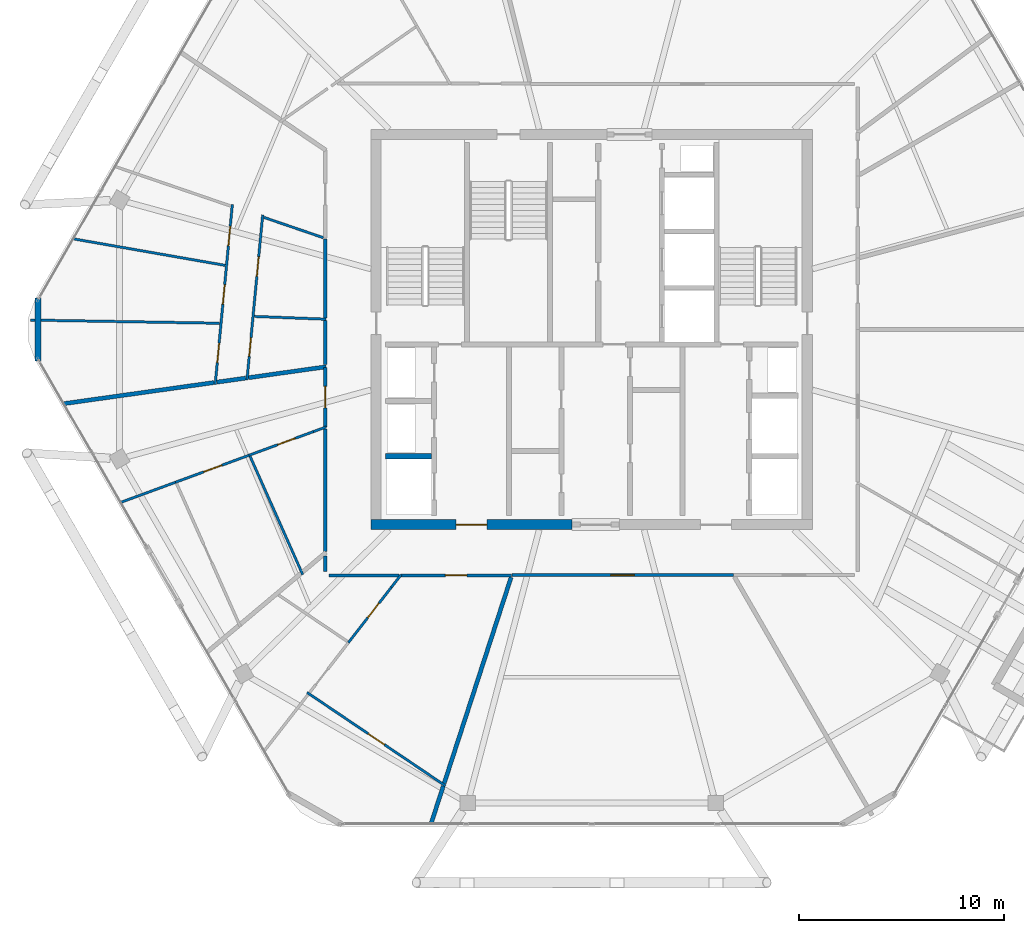
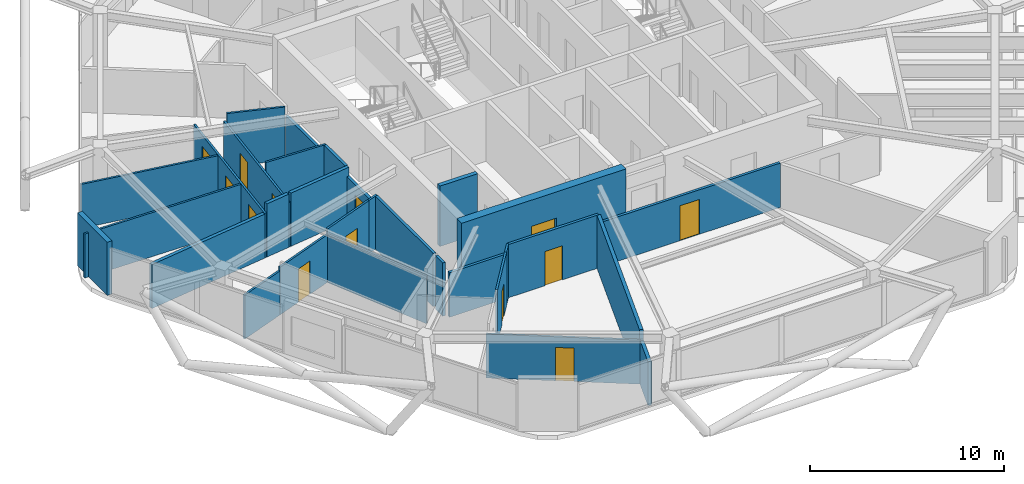
# One storey, part 17 of 23: 30 walls, 13 doors, 13 openings.
"""IFC4 building model written with IfcOpenShell, lengths in metres."""

from ifc_helpers import new_model, si_unit, direction, frame, frame_2d, origin, place, context, subcontext, project, spatial, rectangle, extrude, material, layer, layer_set, type_object, element, fill, save


model = new_model("IFC4")

# Units and contexts
model_context = context("Model", 3, precision=1e-05, world=origin(), true_north=direction((0.0, 1.0)))
body_context = subcontext(model_context, "Body", "Model", "MODEL_VIEW")
ifc_project = project(units=[si_unit("LENGTHUNIT", "METRE"), si_unit("AREAUNIT", "SQUARE_METRE"), si_unit("VOLUMEUNIT", "CUBIC_METRE"), si_unit("PLANEANGLEUNIT", "RADIAN"), si_unit("MASSUNIT", "GRAM", prefix="KILO")], contexts=[model_context])

# Site, building, storey
site_placement = place(None, origin())
site = spatial("IfcSite", under=ifc_project, at=site_placement, CompositionType="ELEMENT")
building_placement = place(site_placement, origin())
building = spatial("IfcBuilding", under=site, at=building_placement, Name="Zuhravey Tower", CompositionType="ELEMENT")
storey_placement = place(building_placement, frame((0.0, 0.0, 353.800048828125)))
storey = spatial("IfcBuildingStorey", under=building, at=storey_placement, Name="L90", CompositionType="ELEMENT", Elevation=353.800048828125)

# Wall, opening, door
ifc_material_1 = material(Name="Concrete C50/60", Category="concrete")
ifc_layer_1 = layer(ifc_material_1, 0.5)
ifc_layer_set_1 = layer_set([ifc_layer_1], Name="Concrete C50/60")
wall_type_1 = type_object("IfcWallType", Name="Core Shear Wall 500", PredefinedType="SHEAR", material=ifc_layer_set_1)
wall_1_placement = place(storey_placement, frame((25.25, 22.5, 0.0), z_axis=(0.0, 0.0, 1.0), x_axis=(1.0, 0.0, 0.0)))
wall_1 = element("IfcWall", 1, at=wall_1_placement, inside=storey, type_object=wall_type_1, Name="L90 South-West Core Shear Wall CW50", PredefinedType="SHEAR", context=body_context, shape_type="SweptSolid", body=[
    extrude(rectangle(XDim=9.800048828125, YDim=0.5, at=frame_2d((4.89990234375, 0.0))), origin(), (0.0, 0.0, 1.0), 3.800048828125),
])
opening_1_placement = place(wall_1_placement, frame((4.14990234375, 0.0, 0.0)))
opening_1 = element("IfcOpeningElement", 2, at=opening_1_placement, cuts=wall_1, Name="Opening FFD1", PredefinedType="OPENING", context=body_context, shape_type="SweptSolid", body=[
    extrude(rectangle(XDim=1.5, YDim=2.14990234375, at=frame_2d((0.75, 1.074951171875))), frame((0.0, 0.261962890625, 0.0), z_axis=(0.0, -1.0, 0.0), x_axis=(1.0, 0.0, 0.0)), (0.0, 0.0, 1.0), 0.52392578125),
])
ifc_material_2 = material(Name="Galvanised fire-rated steel leaf", Category="steel")
door_type_1 = type_object("IfcDoorType", Name="Firefighting Lobby Double Door 1500x2150", OperationType="DOUBLE_DOOR_SINGLE_SWING", PredefinedType="DOOR", material=ifc_material_2)
door_1_placement = place(opening_1_placement, origin())
door_1 = element("IfcDoor", 3, at=door_1_placement, inside=storey, type_object=door_type_1, Name="L90 Firefighting Lobby West Door", OperationType="DOUBLE_DOOR_SINGLE_SWING", OverallHeight=2.14990234375, OverallWidth=1.5, PredefinedType="DOOR", context=body_context, shape_type="SweptSolid", body=[
    extrude(rectangle(XDim=1.5, YDim=2.14990234375, at=frame_2d((0.75, 1.074951171875))), frame((0.0, 0.02490234375, 0.0), z_axis=(0.0, -1.0, 0.0), x_axis=(1.0, 0.0, 0.0)), (0.0, 0.0, 1.0), 0.050048828125),
])
fill(opening_1, door_1)

ifc_material_3 = material(Name="Gypsum fire-rated stud partition")
ifc_layer_2 = layer(ifc_material_3, 0.159912109375)
ifc_layer_set_2 = layer_set([ifc_layer_2], Name="Gypsum fire-rated stud partition")
wall_type_2 = type_object("IfcWallType", Name="Corridor Fire Partition 160", PredefinedType="PARTITIONING", material=ifc_layer_set_2)
wall_2_placement = place(storey_placement, frame((23.02001953125, 30.155517578125, 0.0), z_axis=(0.0, 0.0, 1.0), x_axis=(0.0, -1.0, 0.0)))
wall_2 = element("IfcWall", 4, at=wall_2_placement, inside=storey, type_object=wall_type_2, Name="L90 IW16 Partition 038", PredefinedType="PARTITIONING", context=body_context, shape_type="SweptSolid", body=[
    extrude(rectangle(XDim=2.899658203125, YDim=0.159912109375, at=frame_2d((1.44970703125, 0.0))), origin(), (0.0, 0.0, 1.0), 2.800048828125),
])
opening_2_placement = place(wall_2_placement, frame((0.9248046875, 0.0, 0.0)))
opening_2 = element("IfcOpeningElement", 5, at=opening_2_placement, cuts=wall_2, Name="Opening APD1", PredefinedType="OPENING", context=body_context, shape_type="SweptSolid", body=[
    extrude(rectangle(XDim=1.050048828125, YDim=2.14990234375, at=frame_2d((0.52490234375, 1.074951171875))), frame((0.0, 0.092041015625, 0.0), z_axis=(0.0, -1.0, 0.0), x_axis=(1.0, 0.0, 0.0)), (0.0, 0.0, 1.0), 0.183837890625),
])
ifc_material_4 = material(Name="Solid-core oak fire-rated leaf")
door_type_2 = type_object("IfcDoorType", Name="Apartment Entrance Fire Door 1050x2150", OperationType="NOTDEFINED", PredefinedType="DOOR", material=ifc_material_4)
door_2_placement = place(opening_2_placement, frame((1.050048828125, 0.0, 0.0), z_axis=(0.0, 0.0, 1.0), x_axis=(-1.0, 0.0, 0.0)))
door_2 = element("IfcDoor", 6, at=door_2_placement, inside=storey, type_object=door_type_2, Name="L90 Door 038.1", OperationType="SINGLE_SWING_RIGHT", OverallHeight=2.14990234375, OverallWidth=1.050048828125, PredefinedType="DOOR", context=body_context, shape_type="SweptSolid", body=[
    extrude(rectangle(XDim=1.050048828125, YDim=2.14990234375, at=frame_2d((0.52490234375, 1.074951171875))), frame((0.0, 0.02490234375, 0.0), z_axis=(0.0, -1.0, 0.0), x_axis=(1.0, 0.0, 0.0)), (0.0, 0.0, 1.0), 0.050048828125),
])
fill(opening_2, door_2)

wall_3_placement = place(storey_placement, frame((26.71923828125, 20.02001953125, 0.0), z_axis=(0.0, 0.0, 1.0), x_axis=(1.0, 0.0, 0.0)))
wall_3 = element("IfcWall", 7, at=wall_3_placement, inside=storey, type_object=wall_type_2, Name="L90 IW16 Partition 043", PredefinedType="PARTITIONING", context=body_context, shape_type="SweptSolid", body=[
    extrude(rectangle(XDim=5.3671875, YDim=0.159912109375, at=frame_2d((2.68359375, 0.0))), origin(), (0.0, 0.0, 1.0), 3.349853515625),
])
opening_3_placement = place(wall_3_placement, frame((2.158447265625, 0.0, 0.0)))
opening_3 = element("IfcOpeningElement", 8, at=opening_3_placement, cuts=wall_3, Name="Opening APD1", PredefinedType="OPENING", context=body_context, shape_type="SweptSolid", body=[
    extrude(rectangle(XDim=1.050048828125, YDim=2.14990234375, at=frame_2d((0.52490234375, 1.074951171875))), frame((0.0, 0.092041015625, 0.0), z_axis=(0.0, -1.0, 0.0), x_axis=(1.0, 0.0, 0.0)), (0.0, 0.0, 1.0), 0.183837890625),
])
door_3_placement = place(opening_3_placement, frame((1.050048828125, 0.0, 0.0), z_axis=(0.0, 0.0, 1.0), x_axis=(-1.0, 0.0, 0.0)))
door_3 = element("IfcDoor", 9, at=door_3_placement, inside=storey, type_object=door_type_2, Name="L90 Door 043.1", OperationType="SINGLE_SWING_RIGHT", OverallHeight=2.14990234375, OverallWidth=1.050048828125, PredefinedType="DOOR", context=body_context, shape_type="SweptSolid", body=[
    extrude(rectangle(XDim=1.050048828125, YDim=2.14990234375, at=frame_2d((0.52490234375, 1.074951171875))), frame((0.0, 0.02490234375, 0.0), z_axis=(0.0, -1.0, 0.0), x_axis=(1.0, 0.0, 0.0)), (0.0, 0.0, 1.0), 0.050048828125),
])
fill(opening_3, door_3)

wall_4_placement = place(storey_placement, frame((32.114013671875, 20.0400390625, 0.0), z_axis=(0.0, 0.0, 1.0), x_axis=(1.0, 0.0, 0.0)))
wall_4 = element("IfcWall", 10, at=wall_4_placement, inside=storey, type_object=wall_type_2, Name="L90 IW16 Partition 044", PredefinedType="PARTITIONING", context=body_context, shape_type="SweptSolid", body=[
    extrude(rectangle(XDim=10.791015625, YDim=0.159912109375, at=frame_2d((5.3955078125, 0.0))), origin(), (0.0, 0.0, 1.0), 2.800048828125),
])
opening_4_placement = place(wall_4_placement, frame((4.820556640625, 0.0, 0.0)))
opening_4 = element("IfcOpeningElement", 11, at=opening_4_placement, cuts=wall_4, Name="Opening CLD1", PredefinedType="OPENING", context=body_context, shape_type="SweptSolid", body=[
    extrude(rectangle(XDim=1.14990234375, YDim=2.199951171875, at=frame_2d((0.574951171875, 1.10009765625))), frame((0.0, 0.092041015625, 0.0), z_axis=(0.0, -1.0, 0.0), x_axis=(1.0, 0.0, 0.0)), (0.0, 0.0, 1.0), 0.183837890625),
])
ifc_material_5 = material(Name="Acoustic timber leaf with vision lite", Category="wood")
door_type_3 = type_object("IfcDoorType", Name="Classroom Acoustic Door 1150x2200", OperationType="NOTDEFINED", PredefinedType="DOOR", material=ifc_material_5)
door_4_placement = place(opening_4_placement, frame((1.14990234375, 0.0, 0.0), z_axis=(0.0, 0.0, 1.0), x_axis=(-1.0, 0.0, 0.0)))
door_4 = element("IfcDoor", 12, at=door_4_placement, inside=storey, type_object=door_type_3, Name="L90 Door 044.1", OperationType="SINGLE_SWING_LEFT", OverallHeight=2.199951171875, OverallWidth=1.14990234375, PredefinedType="DOOR", context=body_context, shape_type="SweptSolid", body=[
    extrude(rectangle(XDim=1.14990234375, YDim=2.199951171875, at=frame_2d((0.574951171875, 1.10009765625))), frame((0.0, 0.02490234375, 0.0), z_axis=(0.0, -1.0, 0.0), x_axis=(1.0, 0.0, 0.0)), (0.0, 0.0, 1.0), 0.050048828125),
])
fill(opening_4, door_4)

# Walls
wall_5_placement = place(storey_placement, frame((23.02001953125, 36.417724609375, 0.0), z_axis=(0.0, 0.0, 1.0), x_axis=(0.0, -1.0, 0.0)))
element("IfcWall", 13, at=wall_5_placement, inside=storey, type_object=wall_type_2, Name="L90 IW16 Partition 084", PredefinedType="PARTITIONING", context=body_context, shape_type="SweptSolid", body=[
    extrude(rectangle(XDim=3.84765625, YDim=0.159912109375, at=frame_2d((1.923828125, 0.0))), origin(), (0.0, 0.0, 1.0), 2.800048828125),
])
wall_6_placement = place(storey_placement, frame((23.02001953125, 32.433837890625, 0.0), z_axis=(0.0, 0.0, 1.0), x_axis=(0.0, -1.0, 0.0)))
element("IfcWall", 14, at=wall_6_placement, inside=storey, type_object=wall_type_2, Name="L90 IW16 Partition 085", PredefinedType="PARTITIONING", context=body_context, shape_type="SweptSolid", body=[
    extrude(rectangle(XDim=2.14892578125, YDim=0.159912109375, at=frame_2d((1.074462890625, 0.0))), origin(), (0.0, 0.0, 1.0), 3.349853515625),
])
wall_7_placement = place(storey_placement, frame((23.02001953125, 27.162109375, 0.0), z_axis=(0.0, 0.0, 1.0), x_axis=(0.0, -1.0, 0.0)))
element("IfcWall", 15, at=wall_7_placement, inside=storey, type_object=wall_type_2, Name="L90 IW16 Partition 086", PredefinedType="PARTITIONING", context=body_context, shape_type="SweptSolid", body=[
    extrude(rectangle(XDim=5.972412109375, YDim=0.159912109375, at=frame_2d((2.986328125, 0.0))), origin(), (0.0, 0.0, 1.0), 3.349853515625),
])
wall_8_placement = place(storey_placement, frame((23.199951171875, 20.02001953125, 0.0), z_axis=(0.0, 0.0, 1.0), x_axis=(1.0, 0.0, 0.0)))
element("IfcWall", 16, at=wall_8_placement, inside=storey, type_object=wall_type_2, Name="L90 IW16 Partition 087", PredefinedType="PARTITIONING", context=body_context, shape_type="SweptSolid", body=[
    extrude(rectangle(XDim=3.407958984375, YDim=0.159912109375, at=frame_2d((1.7041015625, 0.0))), origin(), (0.0, 0.0, 1.0), 2.800048828125),
])
wall_9_placement = place(storey_placement, frame((23.02001953125, 20.967529296875, 0.0), z_axis=(0.0, 0.0, 1.0), x_axis=(0.0, -1.0, 0.0)))
element("IfcWall", 17, at=wall_9_placement, inside=storey, type_object=wall_type_2, Name="L90 IW16 Partition 088", PredefinedType="PARTITIONING", context=body_context, shape_type="SweptSolid", body=[
    extrude(rectangle(XDim=0.767578125, YDim=0.159912109375, at=frame_2d((0.3837890625, 0.0))), origin(), (0.0, 0.0, 1.0), 3.349853515625),
])
ifc_material_6 = material(Name="Precast concrete C40/50", Category="concrete")
ifc_layer_3 = layer(ifc_material_6, 0.280029296875)
ifc_layer_set_3 = layer_set([ifc_layer_3], Name="Precast concrete C40/50")
wall_type_3 = type_object("IfcWallType", Name="Crown Architectural Wall 280", PredefinedType="SOLIDWALL", material=ifc_layer_set_3)
wall_10_placement = place(storey_placement, frame((9.031494140625, 30.467529296875, 0.0), z_axis=(0.0, 0.0, 1.0), x_axis=(0.0, 1.0, 0.0)))
element("IfcWall", 18, at=wall_10_placement, inside=storey, type_object=wall_type_3, Name="L90 Rounded Corner Closure Wall EW28-06", PredefinedType="SOLIDWALL", context=body_context, shape_type="SweptSolid", body=[
    extrude(rectangle(XDim=3.06494140625, YDim=0.280029296875, at=frame_2d((1.532470703125, 0.0))), origin(), (0.0, 0.0, 1.0), 3.349853515625),
])
ifc_layer_4 = layer(ifc_material_1, 0.25)
ifc_layer_set_4 = layer_set([ifc_layer_4], Name="Concrete C50/60")
wall_type_4 = type_object("IfcWallType", Name="Firefighting Shaft & Stair Wall 250", PredefinedType="SOLIDWALL", material=ifc_layer_set_4)
wall_11_placement = place(storey_placement, frame((25.949951171875, 25.824951171875, 0.0), z_axis=(0.0, 0.0, 1.0), x_axis=(1.0, 0.0, 0.0)))
element("IfcWall", 19, at=wall_11_placement, inside=storey, type_object=wall_type_4, Name="L90 FW25 Shaft Wall 009", PredefinedType="SOLIDWALL", context=body_context, shape_type="SweptSolid", body=[
    extrude(rectangle(XDim=2.25, YDim=0.25, at=frame_2d((1.125, 0.0))), origin(), (0.0, 0.0, 1.0), 3.800048828125),
])
ifc_material_7 = material(Name="Gypsum double-stud party assembly")
ifc_layer_5 = layer(ifc_material_7, 0.199951171875)
ifc_layer_set_5 = layer_set([ifc_layer_5], Name="Gypsum double-stud party assembly")
wall_type_5 = type_object("IfcWallType", Name="Inter-Tenancy Party Wall 200", PredefinedType="PARTITIONING", material=ifc_layer_set_5)
wall_12_placement = place(storey_placement, frame((23.06005859375, 30.181396484375, 0.0), z_axis=(0.0, 0.0, 1.0), x_axis=(-0.990263903047, -0.139202738201, 0.0)))
element("IfcWall", 20, at=wall_12_placement, inside=storey, type_object=wall_type_5, Name="L90 IW20 Partition 070", PredefinedType="PARTITIONING", context=body_context, shape_type="SweptSolid", body=[
    extrude(rectangle(XDim=3.805908203125, YDim=0.199951171875, at=frame_2d((1.90283203125, 0.0))), origin(), (0.0, 0.0, 1.0), 3.349853515625),
])
wall_13_placement = place(storey_placement, frame((19.152587890625, 29.63232421875, 0.0), z_axis=(0.0, 0.0, 1.0), x_axis=(-0.990245854096, -0.139331074948, 0.0)))
element("IfcWall", 21, at=wall_13_placement, inside=storey, type_object=wall_type_5, Name="L90 IW20 Partition 071", PredefinedType="PARTITIONING", context=body_context, shape_type="SweptSolid", body=[
    extrude(rectangle(XDim=1.4228515625, YDim=0.199951171875, at=frame_2d((0.71142578125, 0.0))), origin(), (0.0, 0.0, 1.0), 3.349853515625),
])
wall_14_placement = place(storey_placement, frame((17.60498046875, 29.414794921875, 0.0), z_axis=(0.0, 0.0, 1.0), x_axis=(-0.990268108888, -0.139172815303, 0.0)))
element("IfcWall", 22, at=wall_14_placement, inside=storey, type_object=wall_type_5, Name="L90 IW20 Partition 072", PredefinedType="PARTITIONING", context=body_context, shape_type="SweptSolid", body=[
    extrude(rectangle(XDim=7.388916015625, YDim=0.199951171875, at=frame_2d((3.6943359375, 0.0))), origin(), (0.0, 0.0, 1.0), 2.77001953125),
])
wall_15_placement = place(storey_placement, frame((32.078857421875, 19.931884765625, 0.0), z_axis=(0.0, 0.0, 1.0), x_axis=(-0.309007075995, -0.951059738915, 0.0)))
element("IfcWall", 23, at=wall_15_placement, inside=storey, type_object=wall_type_5, Name="L90 IW20 Partition 081", PredefinedType="PARTITIONING", context=body_context, shape_type="SweptSolid", body=[
    extrude(rectangle(XDim=10.55224609375, YDim=0.199951171875, at=frame_2d((5.276123046875, 0.0))), origin(), (0.0, 0.0, 1.0), 3.349853515625),
])
wall_16_placement = place(storey_placement, frame((28.7744140625, 9.761474609375, 0.0), z_axis=(0.0, 0.0, 1.0), x_axis=(-0.309008848905, -0.95105916288, 0.0)))
element("IfcWall", 24, at=wall_16_placement, inside=storey, type_object=wall_type_5, Name="L90 IW20 Partition 082", PredefinedType="PARTITIONING", context=body_context, shape_type="SweptSolid", body=[
    extrude(rectangle(XDim=1.93017578125, YDim=0.199951171875, at=frame_2d((0.965087890625, 0.0))), origin(), (0.0, 0.0, 1.0), 2.77001953125),
])

# Wall, openings, doors
ifc_material_8 = material(Name="Gypsum metal-stud partition")
ifc_layer_6 = layer(ifc_material_8, 0.1201171875)
ifc_layer_set_6 = layer_set([ifc_layer_6], Name="Gypsum metal-stud partition")
wall_type_6 = type_object("IfcWallType", Name="Unit Internal Partition 120", PredefinedType="PARTITIONING", material=ifc_layer_set_6)
wall_17_placement = place(storey_placement, frame((19.978515625, 37.5849609375, 0.0), z_axis=(0.0, 0.0, 1.0), x_axis=(-0.094824773931, -0.995493979012, 0.0)))
wall_17 = element("IfcWall", 25, at=wall_17_placement, inside=storey, type_object=wall_type_6, Name="L90 IW12 Partition 032", PredefinedType="PARTITIONING", context=body_context, shape_type="SweptSolid", body=[
    extrude(rectangle(XDim=8.081787109375, YDim=0.1201171875, at=frame_2d((4.041015625, 0.0))), origin(), (0.0, 0.0, 1.0), 2.800048828125),
])
opening_5_placement = place(wall_17_placement, frame((2.061279296875, 0.0, 0.0)))
opening_5 = element("IfcOpeningElement", 26, at=opening_5_placement, cuts=wall_17, Name="Opening IND1", PredefinedType="OPENING", context=body_context, shape_type="SweptSolid", body=[
    extrude(rectangle(XDim=0.949951171875, YDim=2.10009765625, at=frame_2d((0.47509765625, 1.050048828125))), frame((0.0, 0.072021484375, 0.0), z_axis=(0.0, -1.0, 0.0), x_axis=(1.0, 0.0, 0.0)), (0.0, 0.0, 1.0), 0.14404296875),
])
opening_6_placement = place(wall_17_placement, frame((6.024169921875, 0.0, 0.0)))
opening_6 = element("IfcOpeningElement", 27, at=opening_6_placement, cuts=wall_17, Name="Opening WCD1", PredefinedType="OPENING", context=body_context, shape_type="SweptSolid", body=[
    extrude(rectangle(XDim=0.89990234375, YDim=2.10009765625, at=frame_2d((0.449951171875, 1.050048828125))), frame((0.0, 0.072021484375, 0.0), z_axis=(0.0, -1.0, 0.0), x_axis=(1.0, 0.0, 0.0)), (0.0, 0.0, 1.0), 0.14404296875),
])
ifc_material_9 = material(Name="Moisture-resistant timber leaf", Category="wood")
door_type_4 = type_object("IfcDoorType", Name="Bathroom & WC Internal Door 900x2100", OperationType="NOTDEFINED", PredefinedType="DOOR", material=ifc_material_9)
door_5_placement = place(opening_6_placement, origin())
door_5 = element("IfcDoor", 28, at=door_5_placement, inside=storey, type_object=door_type_4, Name="Apartment L90-02 Bathroom Door", OperationType="SINGLE_SWING_RIGHT", OverallHeight=2.10009765625, OverallWidth=0.89990234375, PredefinedType="DOOR", context=body_context, shape_type="SweptSolid", body=[
    extrude(rectangle(XDim=0.89990234375, YDim=2.10009765625, at=frame_2d((0.449951171875, 1.050048828125))), frame((0.0, 0.02490234375, 0.0), z_axis=(0.0, -1.0, 0.0), x_axis=(1.0, 0.0, 0.0)), (0.0, 0.0, 1.0), 0.050048828125),
])
fill(opening_6, door_5)
ifc_material_10 = material(Name="Painted engineered timber leaf", Category="wood")
door_type_5 = type_object("IfcDoorType", Name="Internal Room & Bedroom Door 950x2100", OperationType="NOTDEFINED", PredefinedType="DOOR", material=ifc_material_10)
door_6_placement = place(opening_5_placement, origin())
door_6 = element("IfcDoor", 29, at=door_6_placement, inside=storey, type_object=door_type_5, Name="Apartment L90-02 Kitchen Door", OperationType="SINGLE_SWING_LEFT", OverallHeight=2.10009765625, OverallWidth=0.949951171875, PredefinedType="DOOR", context=body_context, shape_type="SweptSolid", body=[
    extrude(rectangle(XDim=0.949951171875, YDim=2.10009765625, at=frame_2d((0.47509765625, 1.050048828125))), frame((0.0, 0.02490234375, 0.0), z_axis=(0.0, -1.0, 0.0), x_axis=(1.0, 0.0, 0.0)), (0.0, 0.0, 1.0), 0.050048828125),
])
fill(opening_5, door_6)

wall_18_placement = place(storey_placement, frame((18.49951171875, 38.090576171875, 0.0), z_axis=(0.0, 0.0, 1.0), x_axis=(-0.094793396489, -0.995496967339, 0.0)))
wall_18 = element("IfcWall", 30, at=wall_18_placement, inside=storey, type_object=wall_type_6, Name="L90 IW12 Partition 033", PredefinedType="PARTITIONING", context=body_context, shape_type="SweptSolid", body=[
    extrude(rectangle(XDim=8.80810546875, YDim=0.1201171875, at=frame_2d((4.404052734375, 0.0))), origin(), (0.0, 0.0, 1.0), 2.800048828125),
])
opening_7_placement = place(wall_18_placement, frame((1.072021484375, 0.0, 0.0)))
opening_7 = element("IfcOpeningElement", 31, at=opening_7_placement, cuts=wall_18, Name="Opening IND1", PredefinedType="OPENING", context=body_context, shape_type="SweptSolid", body=[
    extrude(rectangle(XDim=0.949951171875, YDim=2.10009765625, at=frame_2d((0.47509765625, 1.050048828125))), frame((0.0, 0.072021484375, 0.0), z_axis=(0.0, -1.0, 0.0), x_axis=(1.0, 0.0, 0.0)), (0.0, 0.0, 1.0), 0.14404296875),
])
opening_8_placement = place(wall_18_placement, frame((3.92919921875, 0.0, 0.0)))
opening_8 = element("IfcOpeningElement", 32, at=opening_8_placement, cuts=wall_18, Name="Opening IND1", PredefinedType="OPENING", context=body_context, shape_type="SweptSolid", body=[
    extrude(rectangle(XDim=0.949951171875, YDim=2.10009765625, at=frame_2d((0.47509765625, 1.050048828125))), frame((0.0, 0.072021484375, 0.0), z_axis=(0.0, -1.0, 0.0), x_axis=(1.0, 0.0, 0.0)), (0.0, 0.0, 1.0), 0.14404296875),
])
opening_9_placement = place(wall_18_placement, frame((6.7861328125, 0.0, 0.0)))
opening_9 = element("IfcOpeningElement", 33, at=opening_9_placement, cuts=wall_18, Name="Opening IND1", PredefinedType="OPENING", context=body_context, shape_type="SweptSolid", body=[
    extrude(rectangle(XDim=0.949951171875, YDim=2.10009765625, at=frame_2d((0.47509765625, 1.050048828125))), frame((0.0, 0.072021484375, 0.0), z_axis=(0.0, -1.0, 0.0), x_axis=(1.0, 0.0, 0.0)), (0.0, 0.0, 1.0), 0.14404296875),
])
door_7_placement = place(opening_7_placement, frame((0.949951171875, 0.0, 0.0), z_axis=(0.0, 0.0, 1.0), x_axis=(-1.0, 0.0, 0.0)))
door_7 = element("IfcDoor", 34, at=door_7_placement, inside=storey, type_object=door_type_5, Name="Apartment L90-02 Bedroom 1 Door", OperationType="SINGLE_SWING_LEFT", OverallHeight=2.10009765625, OverallWidth=0.949951171875, PredefinedType="DOOR", context=body_context, shape_type="SweptSolid", body=[
    extrude(rectangle(XDim=0.949951171875, YDim=2.10009765625, at=frame_2d((0.47509765625, 1.050048828125))), frame((0.0, 0.02490234375, 0.0), z_axis=(0.0, -1.0, 0.0), x_axis=(1.0, 0.0, 0.0)), (0.0, 0.0, 1.0), 0.050048828125),
])
fill(opening_7, door_7)
door_8_placement = place(opening_8_placement, frame((0.949951171875, 0.0, 0.0), z_axis=(0.0, 0.0, 1.0), x_axis=(-1.0, 0.0, 0.0)))
door_8 = element("IfcDoor", 35, at=door_8_placement, inside=storey, type_object=door_type_5, Name="Apartment L90-02 Bedroom 2 Door", OperationType="SINGLE_SWING_RIGHT", OverallHeight=2.10009765625, OverallWidth=0.949951171875, PredefinedType="DOOR", context=body_context, shape_type="SweptSolid", body=[
    extrude(rectangle(XDim=0.949951171875, YDim=2.10009765625, at=frame_2d((0.47509765625, 1.050048828125))), frame((0.0, 0.02490234375, 0.0), z_axis=(0.0, -1.0, 0.0), x_axis=(1.0, 0.0, 0.0)), (0.0, 0.0, 1.0), 0.050048828125),
])
fill(opening_8, door_8)
door_9_placement = place(opening_9_placement, frame((0.949951171875, 0.0, 0.0), z_axis=(0.0, 0.0, 1.0), x_axis=(-1.0, 0.0, 0.0)))
door_9 = element("IfcDoor", 36, at=door_9_placement, inside=storey, type_object=door_type_5, Name="Apartment L90-02 Bedroom 3 Door", OperationType="SINGLE_SWING_LEFT", OverallHeight=2.10009765625, OverallWidth=0.949951171875, PredefinedType="DOOR", context=body_context, shape_type="SweptSolid", body=[
    extrude(rectangle(XDim=0.949951171875, YDim=2.10009765625, at=frame_2d((0.47509765625, 1.050048828125))), frame((0.0, 0.02490234375, 0.0), z_axis=(0.0, -1.0, 0.0), x_axis=(1.0, 0.0, 0.0)), (0.0, 0.0, 1.0), 0.050048828125),
])
fill(opening_9, door_9)

# Wall, opening, door
wall_19_placement = place(storey_placement, frame((22.449951171875, 27.025390625, 0.0), z_axis=(0.0, 0.0, 1.0), x_axis=(-0.938729085526, -0.344655921155, 0.0)))
wall_19 = element("IfcWall", 37, at=wall_19_placement, inside=storey, type_object=wall_type_6, Name="L90 IW12 Partition 035", PredefinedType="PARTITIONING", context=body_context, shape_type="SweptSolid", body=[
    extrude(rectangle(XDim=3.3427734375, YDim=0.1201171875, at=frame_2d((1.67138671875, 0.0))), origin(), (0.0, 0.0, 1.0), 3.349853515625),
])
opening_10_placement = place(wall_19_placement, frame((0.9541015625, 0.0, 0.0)))
opening_10 = element("IfcOpeningElement", 38, at=opening_10_placement, cuts=wall_19, Name="Opening WCD1", PredefinedType="OPENING", context=body_context, shape_type="SweptSolid", body=[
    extrude(rectangle(XDim=0.89990234375, YDim=2.10009765625, at=frame_2d((0.449951171875, 1.050048828125))), frame((0.0, 0.072021484375, 0.0), z_axis=(0.0, -1.0, 0.0), x_axis=(1.0, 0.0, 0.0)), (0.0, 0.0, 1.0), 0.14404296875),
])
door_10_placement = place(opening_10_placement, origin())
door_10 = element("IfcDoor", 39, at=door_10_placement, inside=storey, type_object=door_type_4, Name="Apartment L90-03 Bathroom Door", OperationType="SINGLE_SWING_LEFT", OverallHeight=2.10009765625, OverallWidth=0.89990234375, PredefinedType="DOOR", context=body_context, shape_type="SweptSolid", body=[
    extrude(rectangle(XDim=0.89990234375, YDim=2.10009765625, at=frame_2d((0.449951171875, 1.050048828125))), frame((0.0, 0.02490234375, 0.0), z_axis=(0.0, -1.0, 0.0), x_axis=(1.0, 0.0, 0.0)), (0.0, 0.0, 1.0), 0.050048828125),
])
fill(opening_10, door_10)

wall_20_placement = place(storey_placement, frame((19.31201171875, 25.873291015625, 0.0), z_axis=(0.0, 0.0, 1.0), x_axis=(-0.938737752341, -0.344632314692, 0.0)))
wall_20 = element("IfcWall", 40, at=wall_20_placement, inside=storey, type_object=wall_type_6, Name="L90 IW12 Partition 036", PredefinedType="PARTITIONING", context=body_context, shape_type="SweptSolid", body=[
    extrude(rectangle(XDim=3.817626953125, YDim=0.1201171875, at=frame_2d((1.90869140625, 0.0))), origin(), (0.0, 0.0, 1.0), 3.0),
])
opening_11_placement = place(wall_20_placement, frame((1.408935546875, 0.0, 0.0)))
opening_11 = element("IfcOpeningElement", 41, at=opening_11_placement, cuts=wall_20, Name="Opening IND1", PredefinedType="OPENING", context=body_context, shape_type="SweptSolid", body=[
    extrude(rectangle(XDim=0.949951171875, YDim=2.10009765625, at=frame_2d((0.47509765625, 1.050048828125))), frame((0.0, 0.072021484375, 0.0), z_axis=(0.0, -1.0, 0.0), x_axis=(1.0, 0.0, 0.0)), (0.0, 0.0, 1.0), 0.14404296875),
])
door_11_placement = place(opening_11_placement, origin())
door_11 = element("IfcDoor", 42, at=door_11_placement, inside=storey, type_object=door_type_5, Name="Apartment L90-03 Home Office Door", OperationType="SINGLE_SWING_RIGHT", OverallHeight=2.10009765625, OverallWidth=0.949951171875, PredefinedType="DOOR", context=body_context, shape_type="SweptSolid", body=[
    extrude(rectangle(XDim=0.949951171875, YDim=2.10009765625, at=frame_2d((0.47509765625, 1.050048828125))), frame((0.0, 0.02490234375, 0.0), z_axis=(0.0, -1.0, 0.0), x_axis=(1.0, 0.0, 0.0)), (0.0, 0.0, 1.0), 0.050048828125),
])
fill(opening_11, door_11)

wall_21_placement = place(storey_placement, frame((22.138916015625, 14.319091796875, 0.0), z_axis=(0.0, 0.0, 1.0), x_axis=(0.829032003146, -0.559201160371, 0.0)))
wall_21 = element("IfcWall", 43, at=wall_21_placement, inside=storey, type_object=wall_type_6, Name="L90 IW12 Partition 039", PredefinedType="PARTITIONING", context=body_context, shape_type="SweptSolid", body=[
    extrude(rectangle(XDim=8.134033203125, YDim=0.1201171875, at=frame_2d((4.06689453125, 0.0))), origin(), (0.0, 0.0, 1.0), 2.77001953125),
])
opening_12_placement = place(wall_21_placement, frame((3.592041015625, 0.0, 0.0)))
opening_12 = element("IfcOpeningElement", 44, at=opening_12_placement, cuts=wall_21, Name="Opening IND1", PredefinedType="OPENING", context=body_context, shape_type="SweptSolid", body=[
    extrude(rectangle(XDim=0.949951171875, YDim=2.10009765625, at=frame_2d((0.47509765625, 1.050048828125))), frame((0.0, 0.072021484375, 0.0), z_axis=(0.0, -1.0, 0.0), x_axis=(1.0, 0.0, 0.0)), (0.0, 0.0, 1.0), 0.14404296875),
])
door_12_placement = place(opening_12_placement, frame((0.949951171875, 0.0, 0.0), z_axis=(0.0, 0.0, 1.0), x_axis=(-1.0, 0.0, 0.0)))
door_12 = element("IfcDoor", 45, at=door_12_placement, inside=storey, type_object=door_type_5, Name="Apartment L90-04 Family Study Door", OperationType="SINGLE_SWING_LEFT", OverallHeight=2.10009765625, OverallWidth=0.949951171875, PredefinedType="DOOR", context=body_context, shape_type="SweptSolid", body=[
    extrude(rectangle(XDim=0.949951171875, YDim=2.10009765625, at=frame_2d((0.47509765625, 1.050048828125))), frame((0.0, 0.02490234375, 0.0), z_axis=(0.0, -1.0, 0.0), x_axis=(1.0, 0.0, 0.0)), (0.0, 0.0, 1.0), 0.050048828125),
])
fill(opening_12, door_12)

wall_22_placement = place(storey_placement, frame((26.251220703125, 19.449951171875, 0.0), z_axis=(0.0, 0.0, 1.0), x_axis=(-0.613467016109, -0.789720342999, 0.0)))
wall_22 = element("IfcWall", 46, at=wall_22_placement, inside=storey, type_object=wall_type_6, Name="L90 IW12 Partition 040", PredefinedType="PARTITIONING", context=body_context, shape_type="SweptSolid", body=[
    extrude(rectangle(XDim=3.427001953125, YDim=0.1201171875, at=frame_2d((1.71337890625, 0.0))), origin(), (0.0, 0.0, 1.0), 3.349853515625),
])
opening_13_placement = place(wall_22_placement, frame((0.9892578125, 0.0, 0.0)))
opening_13 = element("IfcOpeningElement", 47, at=opening_13_placement, cuts=wall_22, Name="Opening WCD1", PredefinedType="OPENING", context=body_context, shape_type="SweptSolid", body=[
    extrude(rectangle(XDim=0.89990234375, YDim=2.10009765625, at=frame_2d((0.449951171875, 1.050048828125))), frame((0.0, 0.072021484375, 0.0), z_axis=(0.0, -1.0, 0.0), x_axis=(1.0, 0.0, 0.0)), (0.0, 0.0, 1.0), 0.14404296875),
])
door_13_placement = place(opening_13_placement, frame((0.89990234375, 0.0, 0.0), z_axis=(0.0, 0.0, 1.0), x_axis=(-1.0, 0.0, 0.0)))
door_13 = element("IfcDoor", 48, at=door_13_placement, inside=storey, type_object=door_type_4, Name="Apartment L90-04 Bathroom Door", OperationType="SINGLE_SWING_RIGHT", OverallHeight=2.10009765625, OverallWidth=0.89990234375, PredefinedType="DOOR", context=body_context, shape_type="SweptSolid", body=[
    extrude(rectangle(XDim=0.89990234375, YDim=2.10009765625, at=frame_2d((0.449951171875, 1.050048828125))), frame((0.0, 0.02490234375, 0.0), z_axis=(0.0, -1.0, 0.0), x_axis=(1.0, 0.0, 0.0)), (0.0, 0.0, 1.0), 0.050048828125),
])
fill(opening_13, door_13)

# Walls
wall_23_placement = place(storey_placement, frame((23.070068359375, 32.5, 0.0), z_axis=(0.0, 0.0, 1.0), x_axis=(-0.999254664498, 0.038602013934, 0.0)))
element("IfcWall", 49, at=wall_23_placement, inside=storey, type_object=wall_type_6, Name="L90 IW12 Partition 065", PredefinedType="PARTITIONING", context=body_context, shape_type="SweptSolid", body=[
    extrude(rectangle(XDim=3.49755859375, YDim=0.1201171875, at=frame_2d((1.748779296875, 0.0))), origin(), (0.0, 0.0, 1.0), 3.349853515625),
])
wall_24_placement = place(storey_placement, frame((18.148681640625, 35.1220703125, 0.0), z_axis=(0.0, 0.0, 1.0), x_axis=(-0.985053609483, 0.172248037566, 0.0)))
element("IfcWall", 50, at=wall_24_placement, inside=storey, type_object=wall_type_6, Name="L90 IW12 Partition 066", PredefinedType="PARTITIONING", context=body_context, shape_type="SweptSolid", body=[
    extrude(rectangle(XDim=7.5205078125, YDim=0.1201171875, at=frame_2d((3.76025390625, 0.0))), origin(), (0.0, 0.0, 1.0), 2.77001953125),
])
wall_25_placement = place(storey_placement, frame((17.880126953125, 32.3037109375, 0.0), z_axis=(0.0, 0.0, 1.0), x_axis=(-0.999859663912, 0.016752685779, 0.0)))
element("IfcWall", 51, at=wall_25_placement, inside=storey, type_object=wall_type_6, Name="L90 IW12 Partition 067", PredefinedType="PARTITIONING", context=body_context, shape_type="SweptSolid", body=[
    extrude(rectangle(XDim=9.210205078125, YDim=0.1201171875, at=frame_2d((4.60498046875, 0.0))), origin(), (0.0, 0.0, 1.0), 2.77001953125),
])
wall_26_placement = place(storey_placement, frame((22.931884765625, 36.468994140625, 0.0), z_axis=(0.0, 0.0, 1.0), x_axis=(-0.946174266906, 0.323657622566, 0.0)))
element("IfcWall", 52, at=wall_26_placement, inside=storey, type_object=wall_type_6, Name="L90 IW12 Partition 068", PredefinedType="PARTITIONING", context=body_context, shape_type="SweptSolid", body=[
    extrude(rectangle(XDim=3.061767578125, YDim=0.1201171875, at=frame_2d((1.53076171875, 0.0))), origin(), (0.0, 0.0, 1.0), 3.349853515625),
])
wall_27_placement = place(storey_placement, frame((23.0634765625, 27.25048828125, 0.0), z_axis=(0.0, 0.0, 1.0), x_axis=(-0.938807874659, -0.344441249676, 0.0)))
element("IfcWall", 53, at=wall_27_placement, inside=storey, type_object=wall_type_6, Name="L90 IW12 Partition 073", PredefinedType="PARTITIONING", context=body_context, shape_type="SweptSolid", body=[
    extrude(rectangle(XDim=0.653564453125, YDim=0.1201171875, at=frame_2d((0.32666015625, 0.0))), origin(), (0.0, 0.0, 1.0), 3.349853515625),
])
wall_28_placement = place(storey_placement, frame((15.728271484375, 24.5576171875, 0.0), z_axis=(0.0, 0.0, 1.0), x_axis=(-0.938703216717, -0.344726371089, 0.0)))
element("IfcWall", 54, at=wall_28_placement, inside=storey, type_object=wall_type_6, Name="L90 IW12 Partition 074", PredefinedType="PARTITIONING", context=body_context, shape_type="SweptSolid", body=[
    extrude(rectangle(XDim=2.843505859375, YDim=0.1201171875, at=frame_2d((1.421875, 0.0))), origin(), (0.0, 0.0, 1.0), 2.77001953125),
])
wall_29_placement = place(storey_placement, frame((19.36328125, 25.819580078125, 0.0), z_axis=(0.0, 0.0, 1.0), x_axis=(0.406702567346, -0.913560628374, 0.0)))
element("IfcWall", 55, at=wall_29_placement, inside=storey, type_object=wall_type_6, Name="L90 IW12 Partition 075", PredefinedType="PARTITIONING", context=body_context, shape_type="SweptSolid", body=[
    extrude(rectangle(XDim=6.3037109375, YDim=0.1201171875, at=frame_2d((3.15185546875, 0.0))), origin(), (0.0, 0.0, 1.0), 3.0),
])
wall_30_placement = place(storey_placement, frame((26.71923828125, 20.052490234375, 0.0), z_axis=(0.0, 0.0, 1.0), x_axis=(-0.613430954659, -0.789748354773, 0.0)))
element("IfcWall", 56, at=wall_30_placement, inside=storey, type_object=wall_type_6, Name="L90 IW12 Partition 079", PredefinedType="PARTITIONING", context=body_context, shape_type="SweptSolid", body=[
    extrude(rectangle(XDim=0.762939453125, YDim=0.1201171875, at=frame_2d((0.38134765625, 0.0))), origin(), (0.0, 0.0, 1.0), 3.349853515625),
])

save(model, "model.ifc")
